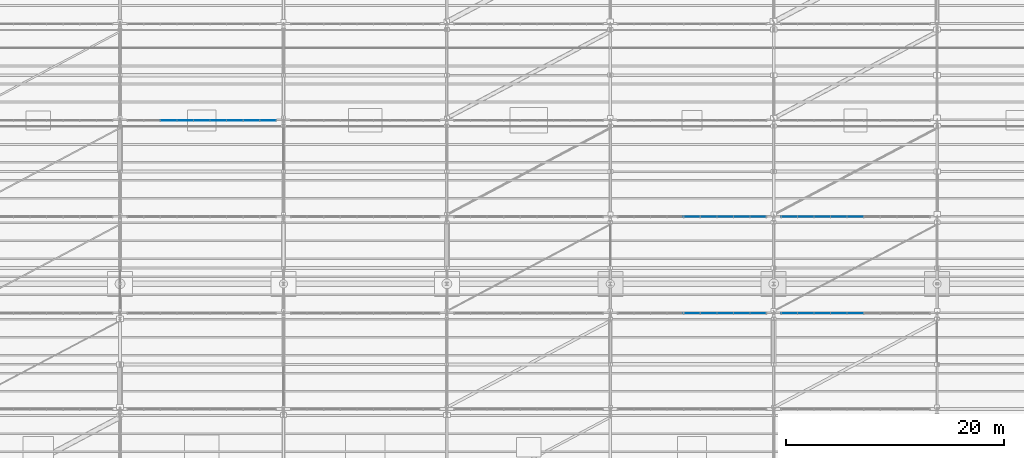
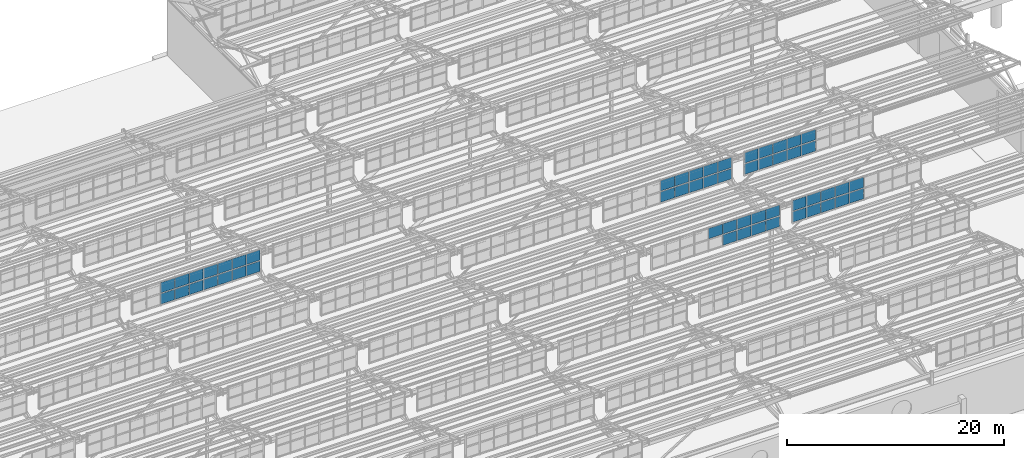
# One storey, part 175 of 285: 53 plates, 5 elements without a shape of their own.
"""IFC4 building model written with IfcOpenShell, lengths in metres."""

from ifc_helpers import new_model, si_unit, direction, frame, origin, origin_2d, place, context, subcontext, project, spatial, rectangle, extrude, material, layer, layer_set, type_object, element, aggregate, save


model = new_model("IFC4")

# Units and contexts
model_context = context("Model", 3, precision=1e-05, world=origin(), true_north=direction((0.0, 1.0)))
body_context = subcontext(model_context, "Body", "Model", "MODEL_VIEW")
ifc_project = project(units=[si_unit("LENGTHUNIT", "METRE"), si_unit("AREAUNIT", "SQUARE_METRE"), si_unit("VOLUMEUNIT", "CUBIC_METRE"), si_unit("PLANEANGLEUNIT", "RADIAN"), si_unit("MASSUNIT", "GRAM", prefix="KILO")], contexts=[model_context])

# Site, building, storey
site_placement = place(None, origin())
site = spatial("IfcSite", under=ifc_project, at=site_placement, CompositionType="ELEMENT")
building_placement = place(site_placement, origin())
building = spatial("IfcBuilding", under=site, at=building_placement, Name="Solanera Park Tramway Depot", CompositionType="ELEMENT")
storey_placement = place(building_placement, origin())
storey = spatial("IfcBuildingStorey", under=building, at=storey_placement, Name="L00", CompositionType="ELEMENT", Elevation=0.0)

# Curtain wall, plates
ifc_material_1 = material(Name="Bronze-anodised thermally broken aluminium curtain wall", Category="aluminium")
curtain_wall_type = type_object("IfcCurtainWallType", Name="Sawtooth Clerestory Monitor Curtain Wall", PredefinedType="NOTDEFINED", material=ifc_material_1)
curtain_wall_1_placement = place(storey_placement, origin())
curtain_wall_1 = element("IfcCurtainWall", 1, at=curtain_wall_1_placement, inside=storey, type_object=curtain_wall_type, Name="L00 Sawtooth Clerestory Monitor Curtain Wall #026", PredefinedType="NOTDEFINED")
ifc_material_2 = material(Name="Low-E laminated solar-control double glazing", Category="glass")
ifc_layer = layer(ifc_material_2, 0.028076171875)
ifc_layer_set = layer_set([ifc_layer], Name="Low-E laminated solar-control double glazing")
plate_type = type_object("IfcPlateType", Name="Curtain Wall Double Glazing Panel 28", PredefinedType="CURTAIN_PANEL", material=ifc_layer_set)
plate_1_placement = place(storey_placement, frame((114.022216796875, 82.300048828125, 7.862060546875), z_axis=(0.0, 0.0, 1.0), x_axis=(1.0, 0.0, 0.0)))
plate_1 = element("IfcPlate", 2, at=plate_1_placement, type_object=plate_type, Name="CW-L00-026 Glazing Panel R1.C6", PredefinedType="CURTAIN_PANEL", context=body_context, shape_type="SweptSolid", body=[
    extrude(rectangle(XDim=1.47021484375, YDim=0.028076171875, at=origin_2d()), origin(), (0.0, 0.0, 1.0), 1.16650390625),
])
plate_2_placement = place(storey_placement, frame((115.54443359375, 82.300048828125, 7.862060546875), z_axis=(0.0, 0.0, 1.0), x_axis=(1.0, 0.0, 0.0)))
plate_2 = element("IfcPlate", 3, at=plate_2_placement, type_object=plate_type, Name="CW-L00-026 Glazing Panel R1.C7", PredefinedType="CURTAIN_PANEL", context=body_context, shape_type="SweptSolid", body=[
    extrude(rectangle(XDim=1.47021484375, YDim=0.028076171875, at=origin_2d()), origin(), (0.0, 0.0, 1.0), 1.16650390625),
])
plate_3_placement = place(storey_placement, frame((117.066650390625, 82.300048828125, 7.862060546875), z_axis=(0.0, 0.0, 1.0), x_axis=(1.0, 0.0, 0.0)))
plate_3 = element("IfcPlate", 4, at=plate_3_placement, type_object=plate_type, Name="CW-L00-026 Glazing Panel R1.C8", PredefinedType="CURTAIN_PANEL", context=body_context, shape_type="SweptSolid", body=[
    extrude(rectangle(XDim=1.47021484375, YDim=0.028076171875, at=origin_2d()), origin(), (0.0, 0.0, 1.0), 1.16650390625),
])
plate_4_placement = place(storey_placement, frame((118.572509765625, 82.300048828125, 7.862060546875), z_axis=(0.0, 0.0, 1.0), x_axis=(1.0, 0.0, 0.0)))
plate_4 = element("IfcPlate", 5, at=plate_4_placement, type_object=plate_type, Name="CW-L00-026 Glazing Panel R1.C9", PredefinedType="CURTAIN_PANEL", context=body_context, shape_type="SweptSolid", body=[
    extrude(rectangle(XDim=1.437744140625, YDim=0.028076171875, at=origin_2d()), origin(), (0.0, 0.0, 1.0), 1.16650390625),
])
plate_5_placement = place(storey_placement, frame((112.5, 82.300048828125, 9.132568359375), z_axis=(0.0, 0.0, 1.0), x_axis=(1.0, 0.0, 0.0)))
plate_5 = element("IfcPlate", 6, at=plate_5_placement, type_object=plate_type, Name="CW-L00-026 Glazing Panel R2.C5", PredefinedType="CURTAIN_PANEL", context=body_context, shape_type="SweptSolid", body=[
    extrude(rectangle(XDim=1.47021484375, YDim=0.028076171875, at=origin_2d()), origin(), (0.0, 0.0, 1.0), 1.16650390625),
])
plate_6_placement = place(storey_placement, frame((114.022216796875, 82.300048828125, 9.132568359375), z_axis=(0.0, 0.0, 1.0), x_axis=(1.0, 0.0, 0.0)))
plate_6 = element("IfcPlate", 7, at=plate_6_placement, type_object=plate_type, Name="CW-L00-026 Glazing Panel R2.C6", PredefinedType="CURTAIN_PANEL", context=body_context, shape_type="SweptSolid", body=[
    extrude(rectangle(XDim=1.47021484375, YDim=0.028076171875, at=origin_2d()), origin(), (0.0, 0.0, 1.0), 1.16650390625),
])
plate_7_placement = place(storey_placement, frame((115.54443359375, 82.300048828125, 9.132568359375), z_axis=(0.0, 0.0, 1.0), x_axis=(1.0, 0.0, 0.0)))
plate_7 = element("IfcPlate", 8, at=plate_7_placement, type_object=plate_type, Name="CW-L00-026 Glazing Panel R2.C7", PredefinedType="CURTAIN_PANEL", context=body_context, shape_type="SweptSolid", body=[
    extrude(rectangle(XDim=1.47021484375, YDim=0.028076171875, at=origin_2d()), origin(), (0.0, 0.0, 1.0), 1.16650390625),
])
plate_8_placement = place(storey_placement, frame((117.066650390625, 82.300048828125, 9.132568359375), z_axis=(0.0, 0.0, 1.0), x_axis=(1.0, 0.0, 0.0)))
plate_8 = element("IfcPlate", 9, at=plate_8_placement, type_object=plate_type, Name="CW-L00-026 Glazing Panel R2.C8", PredefinedType="CURTAIN_PANEL", context=body_context, shape_type="SweptSolid", body=[
    extrude(rectangle(XDim=1.47021484375, YDim=0.028076171875, at=origin_2d()), origin(), (0.0, 0.0, 1.0), 1.16650390625),
])
plate_9_placement = place(storey_placement, frame((118.572509765625, 82.300048828125, 9.132568359375), z_axis=(0.0, 0.0, 1.0), x_axis=(1.0, 0.0, 0.0)))
plate_9 = element("IfcPlate", 10, at=plate_9_placement, type_object=plate_type, Name="CW-L00-026 Glazing Panel R2.C9", PredefinedType="CURTAIN_PANEL", context=body_context, shape_type="SweptSolid", body=[
    extrude(rectangle(XDim=1.437744140625, YDim=0.028076171875, at=origin_2d()), origin(), (0.0, 0.0, 1.0), 1.16650390625),
])
aggregate(curtain_wall_1, [plate_1, plate_2, plate_3, plate_4, plate_5, plate_6, plate_7, plate_8, plate_9])

curtain_wall_2_placement = place(storey_placement, origin())
curtain_wall_2 = element("IfcCurtainWall", 11, at=curtain_wall_2_placement, inside=storey, type_object=curtain_wall_type, Name="L00 Sawtooth Clerestory Monitor Curtain Wall #027", PredefinedType="NOTDEFINED")
plate_10_placement = place(storey_placement, frame((121.427490234375, 82.300048828125, 7.862060546875), z_axis=(0.0, 0.0, 1.0), x_axis=(1.0, 0.0, 0.0)))
plate_10 = element("IfcPlate", 12, at=plate_10_placement, type_object=plate_type, Name="CW-L00-027 Glazing Panel R1.C1", PredefinedType="CURTAIN_PANEL", context=body_context, shape_type="SweptSolid", body=[
    extrude(rectangle(XDim=1.437744140625, YDim=0.028076171875, at=origin_2d()), origin(), (0.0, 0.0, 1.0), 1.16650390625),
])
plate_11_placement = place(storey_placement, frame((122.933349609375, 82.300048828125, 7.862060546875), z_axis=(0.0, 0.0, 1.0), x_axis=(1.0, 0.0, 0.0)))
plate_11 = element("IfcPlate", 13, at=plate_11_placement, type_object=plate_type, Name="CW-L00-027 Glazing Panel R1.C2", PredefinedType="CURTAIN_PANEL", context=body_context, shape_type="SweptSolid", body=[
    extrude(rectangle(XDim=1.47021484375, YDim=0.028076171875, at=origin_2d()), origin(), (0.0, 0.0, 1.0), 1.16650390625),
])
plate_12_placement = place(storey_placement, frame((124.45556640625, 82.300048828125, 7.862060546875), z_axis=(0.0, 0.0, 1.0), x_axis=(1.0, 0.0, 0.0)))
plate_12 = element("IfcPlate", 14, at=plate_12_placement, type_object=plate_type, Name="CW-L00-027 Glazing Panel R1.C3", PredefinedType="CURTAIN_PANEL", context=body_context, shape_type="SweptSolid", body=[
    extrude(rectangle(XDim=1.47021484375, YDim=0.028076171875, at=origin_2d()), origin(), (0.0, 0.0, 1.0), 1.16650390625),
])
plate_13_placement = place(storey_placement, frame((125.977783203125, 82.300048828125, 7.862060546875), z_axis=(0.0, 0.0, 1.0), x_axis=(1.0, 0.0, 0.0)))
plate_13 = element("IfcPlate", 15, at=plate_13_placement, type_object=plate_type, Name="CW-L00-027 Glazing Panel R1.C4", PredefinedType="CURTAIN_PANEL", context=body_context, shape_type="SweptSolid", body=[
    extrude(rectangle(XDim=1.47021484375, YDim=0.028076171875, at=origin_2d()), origin(), (0.0, 0.0, 1.0), 1.16650390625),
])
plate_14_placement = place(storey_placement, frame((127.5, 82.300048828125, 7.862060546875), z_axis=(0.0, 0.0, 1.0), x_axis=(1.0, 0.0, 0.0)))
plate_14 = element("IfcPlate", 16, at=plate_14_placement, type_object=plate_type, Name="CW-L00-027 Glazing Panel R1.C5", PredefinedType="CURTAIN_PANEL", context=body_context, shape_type="SweptSolid", body=[
    extrude(rectangle(XDim=1.47021484375, YDim=0.028076171875, at=origin_2d()), origin(), (0.0, 0.0, 1.0), 1.16650390625),
])
plate_15_placement = place(storey_placement, frame((121.427490234375, 82.300048828125, 9.132568359375), z_axis=(0.0, 0.0, 1.0), x_axis=(1.0, 0.0, 0.0)))
plate_15 = element("IfcPlate", 17, at=plate_15_placement, type_object=plate_type, Name="CW-L00-027 Glazing Panel R2.C1", PredefinedType="CURTAIN_PANEL", context=body_context, shape_type="SweptSolid", body=[
    extrude(rectangle(XDim=1.437744140625, YDim=0.028076171875, at=origin_2d()), origin(), (0.0, 0.0, 1.0), 1.16650390625),
])
plate_16_placement = place(storey_placement, frame((122.933349609375, 82.300048828125, 9.132568359375), z_axis=(0.0, 0.0, 1.0), x_axis=(1.0, 0.0, 0.0)))
plate_16 = element("IfcPlate", 18, at=plate_16_placement, type_object=plate_type, Name="CW-L00-027 Glazing Panel R2.C2", PredefinedType="CURTAIN_PANEL", context=body_context, shape_type="SweptSolid", body=[
    extrude(rectangle(XDim=1.47021484375, YDim=0.028076171875, at=origin_2d()), origin(), (0.0, 0.0, 1.0), 1.16650390625),
])
plate_17_placement = place(storey_placement, frame((124.45556640625, 82.300048828125, 9.132568359375), z_axis=(0.0, 0.0, 1.0), x_axis=(1.0, 0.0, 0.0)))
plate_17 = element("IfcPlate", 19, at=plate_17_placement, type_object=plate_type, Name="CW-L00-027 Glazing Panel R2.C3", PredefinedType="CURTAIN_PANEL", context=body_context, shape_type="SweptSolid", body=[
    extrude(rectangle(XDim=1.47021484375, YDim=0.028076171875, at=origin_2d()), origin(), (0.0, 0.0, 1.0), 1.16650390625),
])
plate_18_placement = place(storey_placement, frame((125.977783203125, 82.300048828125, 9.132568359375), z_axis=(0.0, 0.0, 1.0), x_axis=(1.0, 0.0, 0.0)))
plate_18 = element("IfcPlate", 20, at=plate_18_placement, type_object=plate_type, Name="CW-L00-027 Glazing Panel R2.C4", PredefinedType="CURTAIN_PANEL", context=body_context, shape_type="SweptSolid", body=[
    extrude(rectangle(XDim=1.47021484375, YDim=0.028076171875, at=origin_2d()), origin(), (0.0, 0.0, 1.0), 1.16650390625),
])
plate_19_placement = place(storey_placement, frame((127.5, 82.300048828125, 9.132568359375), z_axis=(0.0, 0.0, 1.0), x_axis=(1.0, 0.0, 0.0)))
plate_19 = element("IfcPlate", 21, at=plate_19_placement, type_object=plate_type, Name="CW-L00-027 Glazing Panel R2.C5", PredefinedType="CURTAIN_PANEL", context=body_context, shape_type="SweptSolid", body=[
    extrude(rectangle(XDim=1.47021484375, YDim=0.028076171875, at=origin_2d()), origin(), (0.0, 0.0, 1.0), 1.16650390625),
])
aggregate(curtain_wall_2, [plate_10, plate_11, plate_12, plate_13, plate_14, plate_15, plate_16, plate_17, plate_18, plate_19])

curtain_wall_3_placement = place(storey_placement, origin())
curtain_wall_3 = element("IfcCurtainWall", 22, at=curtain_wall_3_placement, inside=storey, type_object=curtain_wall_type, Name="L00 Sawtooth Clerestory Monitor Curtain Wall #034", PredefinedType="NOTDEFINED")
plate_20_placement = place(storey_placement, frame((112.5, 91.14990234375, 7.862060546875), z_axis=(0.0, 0.0, 1.0), x_axis=(1.0, 0.0, 0.0)))
plate_20 = element("IfcPlate", 23, at=plate_20_placement, type_object=plate_type, Name="CW-L00-034 Glazing Panel R1.C5", PredefinedType="CURTAIN_PANEL", context=body_context, shape_type="SweptSolid", body=[
    extrude(rectangle(XDim=1.47021484375, YDim=0.028076171875, at=origin_2d()), origin(), (0.0, 0.0, 1.0), 1.16650390625),
])
plate_21_placement = place(storey_placement, frame((114.022216796875, 91.14990234375, 7.862060546875), z_axis=(0.0, 0.0, 1.0), x_axis=(1.0, 0.0, 0.0)))
plate_21 = element("IfcPlate", 24, at=plate_21_placement, type_object=plate_type, Name="CW-L00-034 Glazing Panel R1.C6", PredefinedType="CURTAIN_PANEL", context=body_context, shape_type="SweptSolid", body=[
    extrude(rectangle(XDim=1.47021484375, YDim=0.028076171875, at=origin_2d()), origin(), (0.0, 0.0, 1.0), 1.16650390625),
])
plate_22_placement = place(storey_placement, frame((115.54443359375, 91.14990234375, 7.862060546875), z_axis=(0.0, 0.0, 1.0), x_axis=(1.0, 0.0, 0.0)))
plate_22 = element("IfcPlate", 25, at=plate_22_placement, type_object=plate_type, Name="CW-L00-034 Glazing Panel R1.C7", PredefinedType="CURTAIN_PANEL", context=body_context, shape_type="SweptSolid", body=[
    extrude(rectangle(XDim=1.47021484375, YDim=0.028076171875, at=origin_2d()), origin(), (0.0, 0.0, 1.0), 1.16650390625),
])
plate_23_placement = place(storey_placement, frame((117.066650390625, 91.14990234375, 7.862060546875), z_axis=(0.0, 0.0, 1.0), x_axis=(1.0, 0.0, 0.0)))
plate_23 = element("IfcPlate", 26, at=plate_23_placement, type_object=plate_type, Name="CW-L00-034 Glazing Panel R1.C8", PredefinedType="CURTAIN_PANEL", context=body_context, shape_type="SweptSolid", body=[
    extrude(rectangle(XDim=1.47021484375, YDim=0.028076171875, at=origin_2d()), origin(), (0.0, 0.0, 1.0), 1.16650390625),
])
plate_24_placement = place(storey_placement, frame((118.572509765625, 91.14990234375, 7.862060546875), z_axis=(0.0, 0.0, 1.0), x_axis=(1.0, 0.0, 0.0)))
plate_24 = element("IfcPlate", 27, at=plate_24_placement, type_object=plate_type, Name="CW-L00-034 Glazing Panel R1.C9", PredefinedType="CURTAIN_PANEL", context=body_context, shape_type="SweptSolid", body=[
    extrude(rectangle(XDim=1.437744140625, YDim=0.028076171875, at=origin_2d()), origin(), (0.0, 0.0, 1.0), 1.16650390625),
])
plate_25_placement = place(storey_placement, frame((112.5, 91.14990234375, 9.132568359375), z_axis=(0.0, 0.0, 1.0), x_axis=(1.0, 0.0, 0.0)))
plate_25 = element("IfcPlate", 28, at=plate_25_placement, type_object=plate_type, Name="CW-L00-034 Glazing Panel R2.C5", PredefinedType="CURTAIN_PANEL", context=body_context, shape_type="SweptSolid", body=[
    extrude(rectangle(XDim=1.47021484375, YDim=0.028076171875, at=origin_2d()), origin(), (0.0, 0.0, 1.0), 1.16650390625),
])
plate_26_placement = place(storey_placement, frame((114.022216796875, 91.14990234375, 9.132568359375), z_axis=(0.0, 0.0, 1.0), x_axis=(1.0, 0.0, 0.0)))
plate_26 = element("IfcPlate", 29, at=plate_26_placement, type_object=plate_type, Name="CW-L00-034 Glazing Panel R2.C6", PredefinedType="CURTAIN_PANEL", context=body_context, shape_type="SweptSolid", body=[
    extrude(rectangle(XDim=1.47021484375, YDim=0.028076171875, at=origin_2d()), origin(), (0.0, 0.0, 1.0), 1.16650390625),
])
plate_27_placement = place(storey_placement, frame((115.54443359375, 91.14990234375, 9.132568359375), z_axis=(0.0, 0.0, 1.0), x_axis=(1.0, 0.0, 0.0)))
plate_27 = element("IfcPlate", 30, at=plate_27_placement, type_object=plate_type, Name="CW-L00-034 Glazing Panel R2.C7", PredefinedType="CURTAIN_PANEL", context=body_context, shape_type="SweptSolid", body=[
    extrude(rectangle(XDim=1.47021484375, YDim=0.028076171875, at=origin_2d()), origin(), (0.0, 0.0, 1.0), 1.16650390625),
])
plate_28_placement = place(storey_placement, frame((117.066650390625, 91.14990234375, 9.132568359375), z_axis=(0.0, 0.0, 1.0), x_axis=(1.0, 0.0, 0.0)))
plate_28 = element("IfcPlate", 31, at=plate_28_placement, type_object=plate_type, Name="CW-L00-034 Glazing Panel R2.C8", PredefinedType="CURTAIN_PANEL", context=body_context, shape_type="SweptSolid", body=[
    extrude(rectangle(XDim=1.47021484375, YDim=0.028076171875, at=origin_2d()), origin(), (0.0, 0.0, 1.0), 1.16650390625),
])
plate_29_placement = place(storey_placement, frame((118.572509765625, 91.14990234375, 9.132568359375), z_axis=(0.0, 0.0, 1.0), x_axis=(1.0, 0.0, 0.0)))
plate_29 = element("IfcPlate", 32, at=plate_29_placement, type_object=plate_type, Name="CW-L00-034 Glazing Panel R2.C9", PredefinedType="CURTAIN_PANEL", context=body_context, shape_type="SweptSolid", body=[
    extrude(rectangle(XDim=1.437744140625, YDim=0.028076171875, at=origin_2d()), origin(), (0.0, 0.0, 1.0), 1.16650390625),
])
aggregate(curtain_wall_3, [plate_20, plate_21, plate_22, plate_23, plate_24, plate_25, plate_26, plate_27, plate_28, plate_29])

curtain_wall_4_placement = place(storey_placement, origin())
curtain_wall_4 = element("IfcCurtainWall", 33, at=curtain_wall_4_placement, inside=storey, type_object=curtain_wall_type, Name="L00 Sawtooth Clerestory Monitor Curtain Wall #035", PredefinedType="NOTDEFINED")
plate_30_placement = place(storey_placement, frame((121.427490234375, 91.14990234375, 7.862060546875), z_axis=(0.0, 0.0, 1.0), x_axis=(1.0, 0.0, 0.0)))
plate_30 = element("IfcPlate", 34, at=plate_30_placement, type_object=plate_type, Name="CW-L00-035 Glazing Panel R1.C1", PredefinedType="CURTAIN_PANEL", context=body_context, shape_type="SweptSolid", body=[
    extrude(rectangle(XDim=1.437744140625, YDim=0.028076171875, at=origin_2d()), origin(), (0.0, 0.0, 1.0), 1.16650390625),
])
plate_31_placement = place(storey_placement, frame((122.933349609375, 91.14990234375, 7.862060546875), z_axis=(0.0, 0.0, 1.0), x_axis=(1.0, 0.0, 0.0)))
plate_31 = element("IfcPlate", 35, at=plate_31_placement, type_object=plate_type, Name="CW-L00-035 Glazing Panel R1.C2", PredefinedType="CURTAIN_PANEL", context=body_context, shape_type="SweptSolid", body=[
    extrude(rectangle(XDim=1.47021484375, YDim=0.028076171875, at=origin_2d()), origin(), (0.0, 0.0, 1.0), 1.16650390625),
])
plate_32_placement = place(storey_placement, frame((124.45556640625, 91.14990234375, 7.862060546875), z_axis=(0.0, 0.0, 1.0), x_axis=(1.0, 0.0, 0.0)))
plate_32 = element("IfcPlate", 36, at=plate_32_placement, type_object=plate_type, Name="CW-L00-035 Glazing Panel R1.C3", PredefinedType="CURTAIN_PANEL", context=body_context, shape_type="SweptSolid", body=[
    extrude(rectangle(XDim=1.47021484375, YDim=0.028076171875, at=origin_2d()), origin(), (0.0, 0.0, 1.0), 1.16650390625),
])
plate_33_placement = place(storey_placement, frame((125.977783203125, 91.14990234375, 7.862060546875), z_axis=(0.0, 0.0, 1.0), x_axis=(1.0, 0.0, 0.0)))
plate_33 = element("IfcPlate", 37, at=plate_33_placement, type_object=plate_type, Name="CW-L00-035 Glazing Panel R1.C4", PredefinedType="CURTAIN_PANEL", context=body_context, shape_type="SweptSolid", body=[
    extrude(rectangle(XDim=1.47021484375, YDim=0.028076171875, at=origin_2d()), origin(), (0.0, 0.0, 1.0), 1.16650390625),
])
plate_34_placement = place(storey_placement, frame((127.5, 91.14990234375, 7.862060546875), z_axis=(0.0, 0.0, 1.0), x_axis=(1.0, 0.0, 0.0)))
plate_34 = element("IfcPlate", 38, at=plate_34_placement, type_object=plate_type, Name="CW-L00-035 Glazing Panel R1.C5", PredefinedType="CURTAIN_PANEL", context=body_context, shape_type="SweptSolid", body=[
    extrude(rectangle(XDim=1.47021484375, YDim=0.028076171875, at=origin_2d()), origin(), (0.0, 0.0, 1.0), 1.16650390625),
])
plate_35_placement = place(storey_placement, frame((121.427490234375, 91.14990234375, 9.132568359375), z_axis=(0.0, 0.0, 1.0), x_axis=(1.0, 0.0, 0.0)))
plate_35 = element("IfcPlate", 39, at=plate_35_placement, type_object=plate_type, Name="CW-L00-035 Glazing Panel R2.C1", PredefinedType="CURTAIN_PANEL", context=body_context, shape_type="SweptSolid", body=[
    extrude(rectangle(XDim=1.437744140625, YDim=0.028076171875, at=origin_2d()), origin(), (0.0, 0.0, 1.0), 1.16650390625),
])
plate_36_placement = place(storey_placement, frame((122.933349609375, 91.14990234375, 9.132568359375), z_axis=(0.0, 0.0, 1.0), x_axis=(1.0, 0.0, 0.0)))
plate_36 = element("IfcPlate", 40, at=plate_36_placement, type_object=plate_type, Name="CW-L00-035 Glazing Panel R2.C2", PredefinedType="CURTAIN_PANEL", context=body_context, shape_type="SweptSolid", body=[
    extrude(rectangle(XDim=1.47021484375, YDim=0.028076171875, at=origin_2d()), origin(), (0.0, 0.0, 1.0), 1.16650390625),
])
plate_37_placement = place(storey_placement, frame((124.45556640625, 91.14990234375, 9.132568359375), z_axis=(0.0, 0.0, 1.0), x_axis=(1.0, 0.0, 0.0)))
plate_37 = element("IfcPlate", 41, at=plate_37_placement, type_object=plate_type, Name="CW-L00-035 Glazing Panel R2.C3", PredefinedType="CURTAIN_PANEL", context=body_context, shape_type="SweptSolid", body=[
    extrude(rectangle(XDim=1.47021484375, YDim=0.028076171875, at=origin_2d()), origin(), (0.0, 0.0, 1.0), 1.16650390625),
])
plate_38_placement = place(storey_placement, frame((125.977783203125, 91.14990234375, 9.132568359375), z_axis=(0.0, 0.0, 1.0), x_axis=(1.0, 0.0, 0.0)))
plate_38 = element("IfcPlate", 42, at=plate_38_placement, type_object=plate_type, Name="CW-L00-035 Glazing Panel R2.C4", PredefinedType="CURTAIN_PANEL", context=body_context, shape_type="SweptSolid", body=[
    extrude(rectangle(XDim=1.47021484375, YDim=0.028076171875, at=origin_2d()), origin(), (0.0, 0.0, 1.0), 1.16650390625),
])
plate_39_placement = place(storey_placement, frame((127.5, 91.14990234375, 9.132568359375), z_axis=(0.0, 0.0, 1.0), x_axis=(1.0, 0.0, 0.0)))
plate_39 = element("IfcPlate", 43, at=plate_39_placement, type_object=plate_type, Name="CW-L00-035 Glazing Panel R2.C5", PredefinedType="CURTAIN_PANEL", context=body_context, shape_type="SweptSolid", body=[
    extrude(rectangle(XDim=1.47021484375, YDim=0.028076171875, at=origin_2d()), origin(), (0.0, 0.0, 1.0), 1.16650390625),
])
aggregate(curtain_wall_4, [plate_30, plate_31, plate_32, plate_33, plate_34, plate_35, plate_36, plate_37, plate_38, plate_39])

curtain_wall_5_placement = place(storey_placement, origin())
curtain_wall_5 = element("IfcCurtainWall", 44, at=curtain_wall_5_placement, inside=storey, type_object=curtain_wall_type, Name="L00 Sawtooth Clerestory Monitor Curtain Wall #039", PredefinedType="NOTDEFINED")
plate_40_placement = place(storey_placement, frame((64.45556640625, 100.0, 7.862060546875), z_axis=(0.0, 0.0, 1.0), x_axis=(1.0, 0.0, 0.0)))
plate_40 = element("IfcPlate", 45, at=plate_40_placement, type_object=plate_type, Name="CW-L00-039 Glazing Panel R1.C3", PredefinedType="CURTAIN_PANEL", context=body_context, shape_type="SweptSolid", body=[
    extrude(rectangle(XDim=1.47021484375, YDim=0.028076171875, at=origin_2d()), origin(), (0.0, 0.0, 1.0), 1.16650390625),
])
plate_41_placement = place(storey_placement, frame((65.977783203125, 100.0, 7.862060546875), z_axis=(0.0, 0.0, 1.0), x_axis=(1.0, 0.0, 0.0)))
plate_41 = element("IfcPlate", 46, at=plate_41_placement, type_object=plate_type, Name="CW-L00-039 Glazing Panel R1.C4", PredefinedType="CURTAIN_PANEL", context=body_context, shape_type="SweptSolid", body=[
    extrude(rectangle(XDim=1.47021484375, YDim=0.028076171875, at=origin_2d()), origin(), (0.0, 0.0, 1.0), 1.16650390625),
])
plate_42_placement = place(storey_placement, frame((67.5, 100.0, 7.862060546875), z_axis=(0.0, 0.0, 1.0), x_axis=(1.0, 0.0, 0.0)))
plate_42 = element("IfcPlate", 47, at=plate_42_placement, type_object=plate_type, Name="CW-L00-039 Glazing Panel R1.C5", PredefinedType="CURTAIN_PANEL", context=body_context, shape_type="SweptSolid", body=[
    extrude(rectangle(XDim=1.47021484375, YDim=0.028076171875, at=origin_2d()), origin(), (0.0, 0.0, 1.0), 1.16650390625),
])
plate_43_placement = place(storey_placement, frame((69.022216796875, 100.0, 7.862060546875), z_axis=(0.0, 0.0, 1.0), x_axis=(1.0, 0.0, 0.0)))
plate_43 = element("IfcPlate", 48, at=plate_43_placement, type_object=plate_type, Name="CW-L00-039 Glazing Panel R1.C6", PredefinedType="CURTAIN_PANEL", context=body_context, shape_type="SweptSolid", body=[
    extrude(rectangle(XDim=1.47021484375, YDim=0.028076171875, at=origin_2d()), origin(), (0.0, 0.0, 1.0), 1.16650390625),
])
plate_44_placement = place(storey_placement, frame((70.54443359375, 100.0, 7.862060546875), z_axis=(0.0, 0.0, 1.0), x_axis=(1.0, 0.0, 0.0)))
plate_44 = element("IfcPlate", 49, at=plate_44_placement, type_object=plate_type, Name="CW-L00-039 Glazing Panel R1.C7", PredefinedType="CURTAIN_PANEL", context=body_context, shape_type="SweptSolid", body=[
    extrude(rectangle(XDim=1.47021484375, YDim=0.028076171875, at=origin_2d()), origin(), (0.0, 0.0, 1.0), 1.16650390625),
])
plate_45_placement = place(storey_placement, frame((72.066650390625, 100.0, 7.862060546875), z_axis=(0.0, 0.0, 1.0), x_axis=(1.0, 0.0, 0.0)))
plate_45 = element("IfcPlate", 50, at=plate_45_placement, type_object=plate_type, Name="CW-L00-039 Glazing Panel R1.C8", PredefinedType="CURTAIN_PANEL", context=body_context, shape_type="SweptSolid", body=[
    extrude(rectangle(XDim=1.47021484375, YDim=0.028076171875, at=origin_2d()), origin(), (0.0, 0.0, 1.0), 1.16650390625),
])
plate_46_placement = place(storey_placement, frame((73.572509765625, 100.0, 7.862060546875), z_axis=(0.0, 0.0, 1.0), x_axis=(1.0, 0.0, 0.0)))
plate_46 = element("IfcPlate", 51, at=plate_46_placement, type_object=plate_type, Name="CW-L00-039 Glazing Panel R1.C9", PredefinedType="CURTAIN_PANEL", context=body_context, shape_type="SweptSolid", body=[
    extrude(rectangle(XDim=1.437744140625, YDim=0.028076171875, at=origin_2d()), origin(), (0.0, 0.0, 1.0), 1.16650390625),
])
plate_47_placement = place(storey_placement, frame((64.45556640625, 100.0, 9.132568359375), z_axis=(0.0, 0.0, 1.0), x_axis=(1.0, 0.0, 0.0)))
plate_47 = element("IfcPlate", 52, at=plate_47_placement, type_object=plate_type, Name="CW-L00-039 Glazing Panel R2.C3", PredefinedType="CURTAIN_PANEL", context=body_context, shape_type="SweptSolid", body=[
    extrude(rectangle(XDim=1.47021484375, YDim=0.028076171875, at=origin_2d()), origin(), (0.0, 0.0, 1.0), 1.16650390625),
])
plate_48_placement = place(storey_placement, frame((65.977783203125, 100.0, 9.132568359375), z_axis=(0.0, 0.0, 1.0), x_axis=(1.0, 0.0, 0.0)))
plate_48 = element("IfcPlate", 53, at=plate_48_placement, type_object=plate_type, Name="CW-L00-039 Glazing Panel R2.C4", PredefinedType="CURTAIN_PANEL", context=body_context, shape_type="SweptSolid", body=[
    extrude(rectangle(XDim=1.47021484375, YDim=0.028076171875, at=origin_2d()), origin(), (0.0, 0.0, 1.0), 1.16650390625),
])
plate_49_placement = place(storey_placement, frame((67.5, 100.0, 9.132568359375), z_axis=(0.0, 0.0, 1.0), x_axis=(1.0, 0.0, 0.0)))
plate_49 = element("IfcPlate", 54, at=plate_49_placement, type_object=plate_type, Name="CW-L00-039 Glazing Panel R2.C5", PredefinedType="CURTAIN_PANEL", context=body_context, shape_type="SweptSolid", body=[
    extrude(rectangle(XDim=1.47021484375, YDim=0.028076171875, at=origin_2d()), origin(), (0.0, 0.0, 1.0), 1.16650390625),
])
plate_50_placement = place(storey_placement, frame((69.022216796875, 100.0, 9.132568359375), z_axis=(0.0, 0.0, 1.0), x_axis=(1.0, 0.0, 0.0)))
plate_50 = element("IfcPlate", 55, at=plate_50_placement, type_object=plate_type, Name="CW-L00-039 Glazing Panel R2.C6", PredefinedType="CURTAIN_PANEL", context=body_context, shape_type="SweptSolid", body=[
    extrude(rectangle(XDim=1.47021484375, YDim=0.028076171875, at=origin_2d()), origin(), (0.0, 0.0, 1.0), 1.16650390625),
])
plate_51_placement = place(storey_placement, frame((70.54443359375, 100.0, 9.132568359375), z_axis=(0.0, 0.0, 1.0), x_axis=(1.0, 0.0, 0.0)))
plate_51 = element("IfcPlate", 56, at=plate_51_placement, type_object=plate_type, Name="CW-L00-039 Glazing Panel R2.C7", PredefinedType="CURTAIN_PANEL", context=body_context, shape_type="SweptSolid", body=[
    extrude(rectangle(XDim=1.47021484375, YDim=0.028076171875, at=origin_2d()), origin(), (0.0, 0.0, 1.0), 1.16650390625),
])
plate_52_placement = place(storey_placement, frame((72.066650390625, 100.0, 9.132568359375), z_axis=(0.0, 0.0, 1.0), x_axis=(1.0, 0.0, 0.0)))
plate_52 = element("IfcPlate", 57, at=plate_52_placement, type_object=plate_type, Name="CW-L00-039 Glazing Panel R2.C8", PredefinedType="CURTAIN_PANEL", context=body_context, shape_type="SweptSolid", body=[
    extrude(rectangle(XDim=1.47021484375, YDim=0.028076171875, at=origin_2d()), origin(), (0.0, 0.0, 1.0), 1.16650390625),
])
plate_53_placement = place(storey_placement, frame((73.572509765625, 100.0, 9.132568359375), z_axis=(0.0, 0.0, 1.0), x_axis=(1.0, 0.0, 0.0)))
plate_53 = element("IfcPlate", 58, at=plate_53_placement, type_object=plate_type, Name="CW-L00-039 Glazing Panel R2.C9", PredefinedType="CURTAIN_PANEL", context=body_context, shape_type="SweptSolid", body=[
    extrude(rectangle(XDim=1.437744140625, YDim=0.028076171875, at=origin_2d()), origin(), (0.0, 0.0, 1.0), 1.16650390625),
])
aggregate(curtain_wall_5, [plate_40, plate_41, plate_42, plate_43, plate_44, plate_45, plate_46, plate_47, plate_48, plate_49, plate_50, plate_51, plate_52, plate_53])

save(model, "model.ifc")
